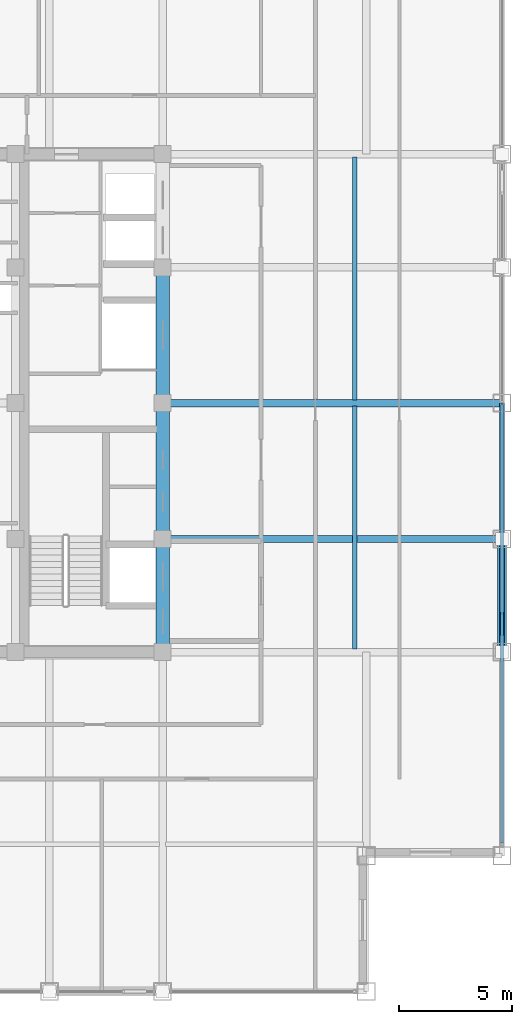
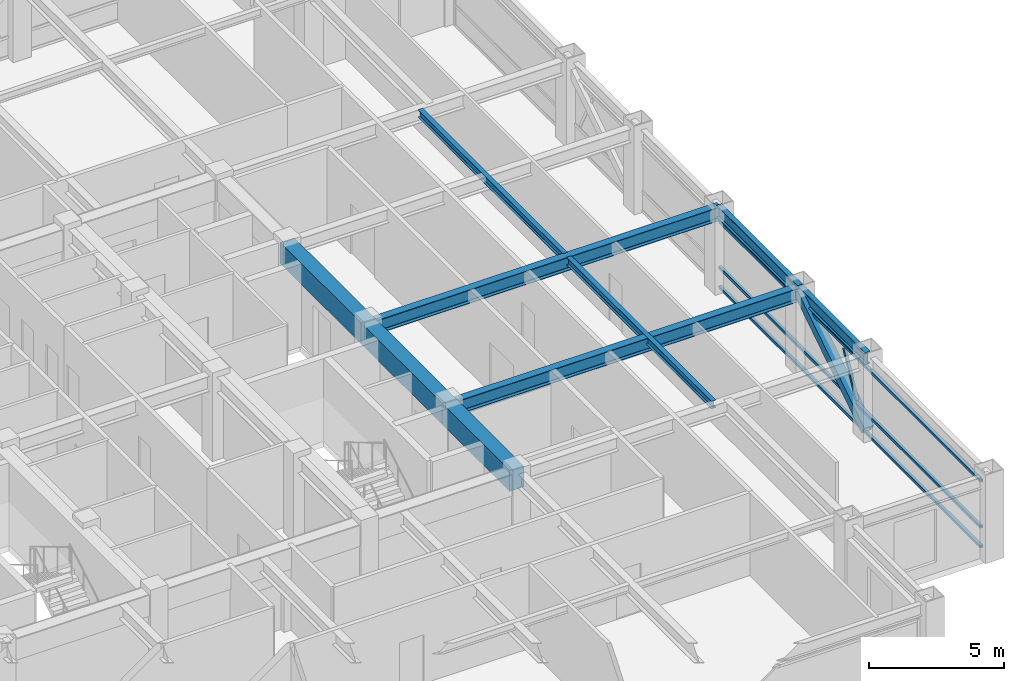
# One storey, part 11 of 28: 9 beams, 5 members, 1 element without a shape of its own.
"""IFC4 building model written with IfcOpenShell, lengths in metres."""

from ifc_helpers import new_model, si_unit, direction, frame, origin, origin_2d, place, context, subcontext, project, spatial, rectangle, hollow_rectangle, i_section, extrude, source, transform, mapped, material, material_profile, profile_set, type_object, element, aggregate, save


model = new_model("IFC4")

# Units and contexts
model_context = context("Model", 3, precision=1e-05, world=origin(), true_north=direction((0.0, 1.0)))
body_context = subcontext(model_context, "Body", "Model", "MODEL_VIEW")
ifc_project = project(units=[si_unit("LENGTHUNIT", "METRE"), si_unit("AREAUNIT", "SQUARE_METRE"), si_unit("VOLUMEUNIT", "CUBIC_METRE"), si_unit("PLANEANGLEUNIT", "RADIAN"), si_unit("MASSUNIT", "GRAM", prefix="KILO")], contexts=[model_context])

# Site, building, storey
site_placement = place(None, origin())
site = spatial("IfcSite", under=ifc_project, at=site_placement, CompositionType="ELEMENT")
building_placement = place(site_placement, origin())
building = spatial("IfcBuilding", under=site, at=building_placement, Name="Khorayat Bourse Tower", CompositionType="ELEMENT")
storey_placement = place(building_placement, frame((0.0, 0.0, 334.300048828125)))
storey = spatial("IfcBuildingStorey", under=building, at=storey_placement, Name="L79", CompositionType="ELEMENT", Elevation=334.300048828125)

# Beams
ifc_material_1 = material(Name="Concrete C60/75", Category="concrete")
ifc_material_profile_1 = material_profile(ifc_material_1, rectangle(XDim=0.60009765625, YDim=0.949951171875, at=origin_2d()), Name="RC 600x950")
ifc_profile_set_1 = profile_set([ifc_material_profile_1], Name="Concrete C60/75")
beam_type_1 = type_object("IfcBeamType", Name="BM-COUP-950", PredefinedType="BEAM", material=ifc_profile_set_1)
shared_shape_1 = source(origin(), body_context, "Body", "SweptSolid", [
    extrude(rectangle(XDim=0.60009765625, YDim=0.949951171875, at=origin_2d()), origin(), (0.0, 0.0, 1.0), 5.0),
])
beam_1_placement = place(storey_placement, frame((11.0, -11.0, 3.264892578125), z_axis=(0.0, 1.0, 0.0), x_axis=(-1.0, 0.0, 0.0)))
element("IfcBeam", 1, at=beam_1_placement, inside=storey, type_object=beam_type_1, Name="L79 BM-COUP-950 BM-L79-CRX-13", PredefinedType="BEAM", context=body_context, shape_type="MappedRepresentation", body=[
    mapped(shared_shape_1, transform((0.0, 0.0, 0.0), scale=1.0)),
])
shared_shape_2 = source(origin(), body_context, "Body", "SweptSolid", [
    extrude(rectangle(XDim=0.60009765625, YDim=0.949951171875, at=origin_2d()), origin(), (0.0, 0.0, 1.0), 6.0),
])
for number, where, z_axis, x_axis, name in (
    (2, (11.0, -6.0, 3.264892578125), (0.0, 1.0, 0.0), (-1.0, 0.0, 0.0), "L79 BM-COUP-950 BM-L79-CRX-14"),
    (3, (11.0, 0.0, 3.264892578125), (0.0, 1.0, 0.0), (-1.0, 0.0, 0.0), "L79 BM-COUP-950 BM-L79-CRX-15"),
):
    element("IfcBeam", number, at=place(storey_placement, frame(where, z_axis=z_axis, x_axis=x_axis)), inside=storey, type_object=beam_type_1, Name=name, PredefinedType="BEAM", context=body_context, shape_type="MappedRepresentation", body=[
        mapped(shared_shape_2, transform((0.0, 0.0, 0.0), scale=1.0)),
    ])
ifc_material_2 = material(Name="Steel ASTM A992 Grade 50", Category="steel")
ifc_material_profile_2 = material_profile(ifc_material_2, i_section(OverallWidth=0.202880859375, OverallDepth=0.346923828125, WebThickness=0.0078125, FlangeThickness=0.013427734375, FilletRadius=0.010009765625, at=origin_2d()), Name="W360X64")
ifc_profile_set_2 = profile_set([ifc_material_profile_2], Name="Steel ASTM A992 Grade 50")
beam_type_2 = type_object("IfcBeamType", Name="BM-JOIST-360", PredefinedType="JOIST", material=ifc_profile_set_2)
shared_shape_3 = source(origin(), body_context, "Body", "SweptSolid", [
    extrude(i_section(OverallWidth=0.202880859375, OverallDepth=0.346923828125, WebThickness=0.0078125, FlangeThickness=0.013427734375, FilletRadius=0.010009765625, at=origin_2d()), origin(), (0.0, 0.0, 1.0), 10.740234375),
])
for number, where, z_axis, x_axis, name in (
    (4, (19.5, -10.8701171875, 3.56640625), (0.0, 1.0, 0.0), (-1.0, 0.0, 0.0), "L79 BM-JOIST-360 BM-L79-JSTY-088"),
    (5, (19.5, 0.1298828125, 3.56640625), (0.0, 1.0, 0.0), (-1.0, 0.0, 0.0), "L79 BM-JOIST-360 BM-L79-JSTY-089"),
):
    element("IfcBeam", number, at=place(storey_placement, frame(where, z_axis=z_axis, x_axis=x_axis)), inside=storey, type_object=beam_type_2, Name=name, PredefinedType="JOIST", context=body_context, shape_type="MappedRepresentation", body=[
        mapped(shared_shape_3, transform((0.0, 0.0, 0.0), scale=1.0)),
    ])
ifc_material_profile_3 = material_profile(ifc_material_2, i_section(OverallWidth=0.214111328125, OverallDepth=0.549072265625, WebThickness=0.0146484375, FlangeThickness=0.023681640625, FilletRadius=0.013916015625, at=origin_2d()), Name="W530X138")
ifc_profile_set_3 = profile_set([ifc_material_profile_3], Name="Steel ASTM A992 Grade 50")
beam_type_3 = type_object("IfcBeamType", Name="BM-SPAN-530", PredefinedType="SPANDREL", material=ifc_profile_set_3)
shared_shape_4 = source(origin(), body_context, "Body", "SweptSolid", [
    extrude(i_section(OverallWidth=0.214111328125, OverallDepth=0.549072265625, WebThickness=0.0146484375, FlangeThickness=0.023681640625, FilletRadius=0.013916015625, at=origin_2d()), origin(), (0.0, 0.0, 1.0), 5.0),
])
beam_2_placement = place(storey_placement, frame((26.0, -11.0, 3.46533203125), z_axis=(0.0, 1.0, 0.0), x_axis=(-1.0, 0.0, 0.0)))
element("IfcBeam", 6, at=beam_2_placement, inside=storey, type_object=beam_type_3, Name="L79 BM-SPAN-530 BM-L79-SPN-033", PredefinedType="SPANDREL", context=body_context, shape_type="MappedRepresentation", body=[
    mapped(shared_shape_4, transform((0.0, 0.0, 0.0), scale=1.0)),
])
shared_shape_5 = source(origin(), body_context, "Body", "SweptSolid", [
    extrude(i_section(OverallWidth=0.214111328125, OverallDepth=0.549072265625, WebThickness=0.0146484375, FlangeThickness=0.023681640625, FilletRadius=0.013916015625, at=origin_2d()), origin(), (0.0, 0.0, 1.0), 6.0),
])
beam_3_placement = place(storey_placement, frame((26.0, -6.0, 3.46533203125), z_axis=(0.0, 1.0, 0.0), x_axis=(-1.0, 0.0, 0.0)))
element("IfcBeam", 7, at=beam_3_placement, inside=storey, type_object=beam_type_3, Name="L79 BM-SPAN-530 BM-L79-SPN-034", PredefinedType="SPANDREL", context=body_context, shape_type="MappedRepresentation", body=[
    mapped(shared_shape_5, transform((0.0, 0.0, 0.0), scale=1.0)),
])
ifc_material_profile_4 = material_profile(ifc_material_2, i_section(OverallWidth=0.324951171875, OverallDepth=0.615966796875, WebThickness=0.013916015625, FlangeThickness=0.021484375, FilletRadius=0.01611328125, at=origin_2d()), Name="W610X174")
ifc_profile_set_4 = profile_set([ifc_material_profile_4], Name="Steel ASTM A992 Grade 50")
beam_type_4 = type_object("IfcBeamType", Name="BM-GIRD-610", PredefinedType="BEAM", material=ifc_profile_set_4)
shared_shape_6 = source(origin(), body_context, "Body", "SweptSolid", [
    extrude(i_section(OverallWidth=0.324951171875, OverallDepth=0.615966796875, WebThickness=0.013916015625, FlangeThickness=0.021484375, FilletRadius=0.01611328125, at=origin_2d()), origin(), (0.0, 0.0, 1.0), 15.0),
])
for number, where, z_axis, x_axis, name in (
    (8, (11.0, -6.0, 3.431884765625), (1.0, 0.0, 0.0), (0.0, 1.0, 0.0), "L79 BM-GIRD-610 BM-L79-RADX-068"),
    (9, (11.0, 0.0, 3.431884765625), (1.0, 0.0, 0.0), (0.0, 1.0, 0.0), "L79 BM-GIRD-610 BM-L79-RADX-070"),
):
    element("IfcBeam", number, at=place(storey_placement, frame(where, z_axis=z_axis, x_axis=x_axis)), inside=storey, type_object=beam_type_4, Name=name, PredefinedType="BEAM", context=body_context, shape_type="MappedRepresentation", body=[
        mapped(shared_shape_6, transform((0.0, 0.0, 0.0), scale=1.0)),
    ])

# Member
ifc_material_3 = material(Name="Steel EN 10025-4 S460M", Category="steel")
ifc_material_profile_5 = material_profile(ifc_material_3, hollow_rectangle(XDim=0.39990234375, YDim=0.39990234375, WallThickness=0.02197265625, at=origin_2d()), Name="HSS 400x400x22")
ifc_profile_set_5 = profile_set([ifc_material_profile_5], Name="Steel EN 10025-4 S460M")
member_type_1 = type_object("IfcMemberType", Name="MBR-TUBE-400", PredefinedType="BRACE", material=ifc_profile_set_5)
shared_shape_7 = source(origin(), body_context, "Body", "SweptSolid", [
    extrude(hollow_rectangle(XDim=0.39990234375, YDim=0.39990234375, WallThickness=0.02197265625, at=origin_2d()), origin(), (0.0, 0.0, 1.0), 5.9580078125),
])
member_1_placement = place(storey_placement, frame((26.0, -11.0, 0.25), z_axis=(0.0, 0.839210474455, 0.543806748364), x_axis=(-1.0, 0.0, 0.0)))
element("IfcMember", 10, at=member_1_placement, inside=storey, type_object=member_type_1, Name="L79 Perimeter Tube Brace 07", PredefinedType="BRACE", context=body_context, shape_type="MappedRepresentation", body=[
    mapped(shared_shape_7, transform((0.0, 0.0, 0.0), scale=1.0)),
])

# Curtain wall, members
ifc_material_4 = material(Name="Aluminium EN AW-6063 T6", Category="aluminium")
curtain_wall_type = type_object("IfcCurtainWallType", Name="CW-SYS-04", PredefinedType="NOTDEFINED", material=ifc_material_4)
curtain_wall_placement = place(storey_placement, origin())
curtain_wall = element("IfcCurtainWall", 11, at=curtain_wall_placement, inside=storey, type_object=curtain_wall_type, Name="L79 Curtain Wall CW-L79-E1", PredefinedType="NOTDEFINED")
ifc_material_profile_6 = material_profile(ifc_material_4, hollow_rectangle(XDim=0.1201171875, YDim=0.1201171875, WallThickness=0.0048828125, at=origin_2d()), Name="ALU 120x120x5")
ifc_profile_set_6 = profile_set([ifc_material_profile_6], Name="Aluminium EN AW-6063 T6")
member_type_2 = type_object("IfcMemberType", Name="CWM-DIAG-120", PredefinedType="MULLION", material=ifc_profile_set_6)
shared_shape_8 = source(origin(), body_context, "Body", "SweptSolid", [
    extrude(hollow_rectangle(XDim=0.1201171875, YDim=0.1201171875, WallThickness=0.0048828125, at=origin_2d()), origin(), (0.0, 0.0, 1.0), 2.0341796875),
])
member_2_placement = place(storey_placement, frame((26.0, -10.21875, 1.08984375), z_axis=(0.0, 0.465790950955, 0.884894790361), x_axis=(-1.0, 0.0, 0.0)))
member_2 = element("IfcMember", 12, at=member_2_placement, type_object=member_type_2, Name="CW-L79-E1 Faceted Diagonal Mullion 1", PredefinedType="MULLION", context=body_context, shape_type="MappedRepresentation", body=[
    mapped(shared_shape_8, transform((0.0, 0.0, 0.0), scale=1.0)),
])
ifc_material_profile_7 = material_profile(ifc_material_4, hollow_rectangle(XDim=0.1201171875, YDim=0.1201171875, WallThickness=0.0048828125, at=origin_2d()), Name="ALU 120x120x5")
ifc_profile_set_7 = profile_set([ifc_material_profile_7], Name="Aluminium EN AW-6063 T6")
member_type_3 = type_object("IfcMemberType", Name="CWT-HORZ-120", PredefinedType="USERDEFINED", material=ifc_profile_set_7)
shared_shape_9 = source(origin(), body_context, "Body", "SweptSolid", [
    extrude(hollow_rectangle(XDim=0.1201171875, YDim=0.1201171875, WallThickness=0.0048828125, at=origin_2d()), origin(), (0.0, 0.0, 1.0), 19.369873046875),
])
member_3_placement = place(storey_placement, frame((26.0, -19.429931640625, 0.06005859375), z_axis=(0.0, 1.0, 0.0), x_axis=(-1.0, 0.0, 0.0)))
member_3 = element("IfcMember", 13, at=member_3_placement, type_object=member_type_3, Name="CW-L79-E1 Horizontal Transom 1-1", ObjectType="TRANSOM", PredefinedType="USERDEFINED", context=body_context, shape_type="MappedRepresentation", body=[
    mapped(shared_shape_9, transform((0.0, 0.0, 0.0), scale=1.0)),
])
member_4_placement = place(storey_placement, frame((26.0, -19.429931640625, 0.949951171875), z_axis=(0.0, 1.0, 0.0), x_axis=(-1.0, 0.0, 0.0)))
member_4 = element("IfcMember", 14, at=member_4_placement, type_object=member_type_3, Name="CW-L79-E1 Horizontal Transom 1-2", ObjectType="TRANSOM", PredefinedType="USERDEFINED", context=body_context, shape_type="MappedRepresentation", body=[
    mapped(shared_shape_9, transform((0.0, 0.0, 0.0), scale=1.0)),
])
member_5_placement = place(storey_placement, frame((26.0, -19.429931640625, 3.030029296875), z_axis=(0.0, 1.0, 0.0), x_axis=(-1.0, 0.0, 0.0)))
member_5 = element("IfcMember", 15, at=member_5_placement, type_object=member_type_3, Name="CW-L79-E1 Horizontal Transom 1-3", ObjectType="TRANSOM", PredefinedType="USERDEFINED", context=body_context, shape_type="MappedRepresentation", body=[
    mapped(shared_shape_9, transform((0.0, 0.0, 0.0), scale=1.0)),
])
aggregate(curtain_wall, [member_3, member_4, member_5, member_2])

save(model, "model.ifc")
